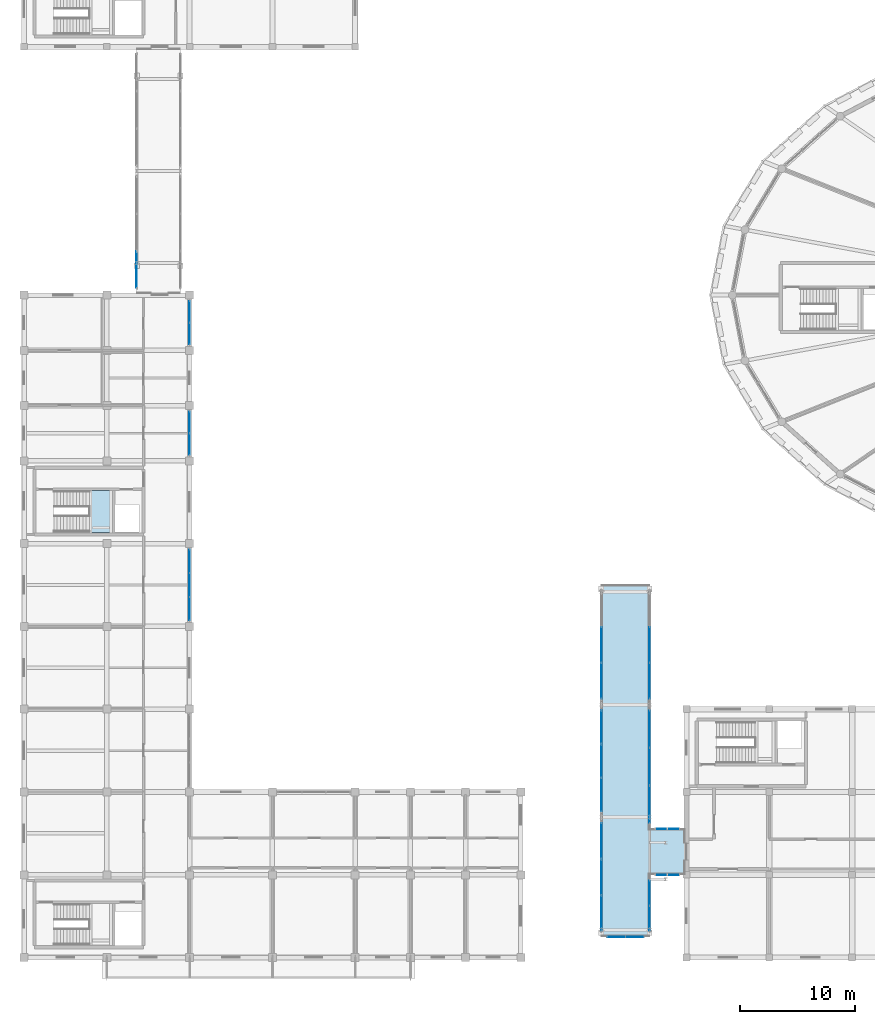
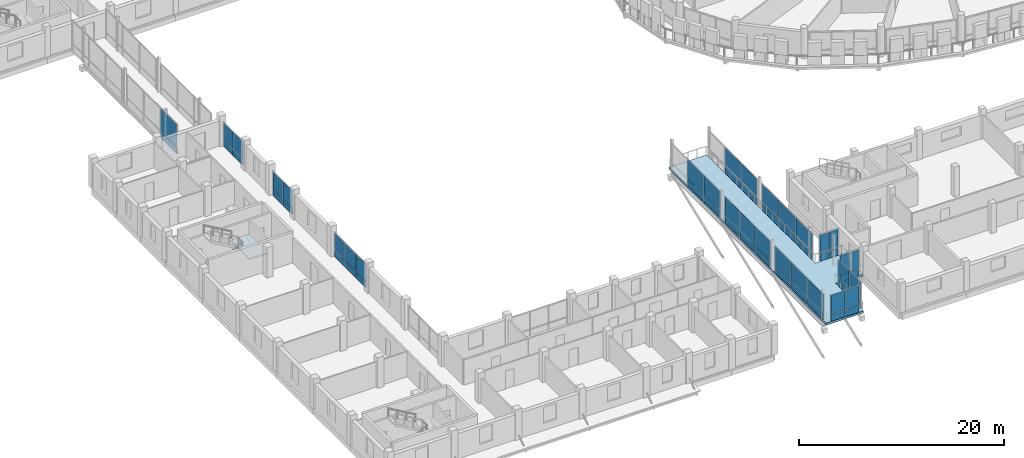
# One storey, part 97 of 128: 58 plates, 2 slabs, 14 elements without a shape of their own.
"""IFC4 building model written with IfcOpenShell, lengths in metres."""

from ifc_helpers import new_model, si_unit, direction, frame, origin, origin_2d, place, context, subcontext, project, spatial, polyline, rectangle, outline, extrude, material, layer, layer_set, type_object, element, aggregate, save


model = new_model("IFC4")

# Units and contexts
model_context = context("Model", 3, precision=1e-05, world=origin(), true_north=direction((0.0, 1.0)))
body_context = subcontext(model_context, "Body", "Model", "MODEL_VIEW")
ifc_project = project(units=[si_unit("LENGTHUNIT", "METRE"), si_unit("AREAUNIT", "SQUARE_METRE"), si_unit("VOLUMEUNIT", "CUBIC_METRE"), si_unit("PLANEANGLEUNIT", "RADIAN"), si_unit("MASSUNIT", "GRAM", prefix="KILO")], contexts=[model_context])

# Site, building, storey
site_placement = place(None, origin())
site = spatial("IfcSite", under=ifc_project, at=site_placement, CompositionType="ELEMENT")
building_placement = place(site_placement, origin())
building = spatial("IfcBuilding", under=site, at=building_placement, Name="Zornivar Specialist Clinic", CompositionType="ELEMENT")
storey_placement = place(building_placement, frame((0.0, 0.0, 4.5)))
storey = spatial("IfcBuildingStorey", under=building, at=storey_placement, Name="L01", CompositionType="ELEMENT", Elevation=4.5)

# Curtain wall, plates
ifc_material_1 = material(Name="Aluminium and Low-E Glass Curtain Wall", Category="aluminium")
curtain_wall_type_1 = type_object("IfcCurtainWallType", Name="CW-REVAK-COURT", PredefinedType="NOTDEFINED", material=ifc_material_1)
curtain_wall_1_placement = place(storey_placement, origin())
curtain_wall_1 = element("IfcCurtainWall", 1, at=curtain_wall_1_placement, inside=storey, type_object=curtain_wall_type_1, Name="cw:V2:L01:16", PredefinedType="NOTDEFINED")
ifc_material_2 = material(Name="Insulated Limestone-Faced Spandrel Panel", Category="masonry")
ifc_layer_1 = layer(ifc_material_2, 0.05810546875)
ifc_layer_set_1 = layer_set([ifc_layer_1], Name="Insulated Limestone-Faced Spandrel Panel")
plate_type_1 = type_object("IfcPlateType", Name="CWP-SPN-D", PredefinedType="CURTAIN_PANEL", material=ifc_layer_set_1)
plate_1_placement = place(storey_placement, frame((14.39990234375, 30.320068359375, 0.030029296875), z_axis=(0.0, 0.0, 1.0), x_axis=(0.0, 1.0, 0.0)))
plate_1 = element("IfcPlate", 2, at=plate_1_placement, type_object=plate_type_1, Name="cw:V2:L01:16:spn:0", PredefinedType="CURTAIN_PANEL", context=body_context, shape_type="SweptSolid", body=[
    extrude(rectangle(XDim=2.010009765625, YDim=0.05810546875, at=origin_2d()), origin(), (0.0, 0.0, 1.0), 0.7099609375),
])
plate_2_placement = place(storey_placement, frame((14.39990234375, 32.39990234375, 0.030029296875), z_axis=(0.0, 0.0, 1.0), x_axis=(0.0, 1.0, 0.0)))
plate_2 = element("IfcPlate", 3, at=plate_2_placement, type_object=plate_type_1, Name="cw:V2:L01:16:spn:1", PredefinedType="CURTAIN_PANEL", context=body_context, shape_type="SweptSolid", body=[
    extrude(rectangle(XDim=2.010009765625, YDim=0.05810546875, at=origin_2d()), origin(), (0.0, 0.0, 1.0), 0.7099609375),
])
plate_3_placement = place(storey_placement, frame((14.39990234375, 34.47998046875, 0.030029296875), z_axis=(0.0, 0.0, 1.0), x_axis=(0.0, 1.0, 0.0)))
plate_3 = element("IfcPlate", 4, at=plate_3_placement, type_object=plate_type_1, Name="cw:V2:L01:16:spn:2", PredefinedType="CURTAIN_PANEL", context=body_context, shape_type="SweptSolid", body=[
    extrude(rectangle(XDim=2.010009765625, YDim=0.05810546875, at=origin_2d()), origin(), (0.0, 0.0, 1.0), 0.7099609375),
])

curtain_wall_2_placement = place(storey_placement, origin())
curtain_wall_2 = element("IfcCurtainWall", 5, at=curtain_wall_2_placement, inside=storey, type_object=curtain_wall_type_1, Name="cw:V2:L01:18", PredefinedType="NOTDEFINED")
plate_4_placement = place(storey_placement, frame((14.39990234375, 44.639892578125, 0.030029296875), z_axis=(0.0, 0.0, 1.0), x_axis=(0.0, 1.0, 0.0)))
plate_4 = element("IfcPlate", 6, at=plate_4_placement, type_object=plate_type_1, Name="cw:V2:L01:18:spn:0", PredefinedType="CURTAIN_PANEL", context=body_context, shape_type="SweptSolid", body=[
    extrude(rectangle(XDim=1.85009765625, YDim=0.05810546875, at=origin_2d()), origin(), (0.0, 0.0, 1.0), 0.7099609375),
])
plate_5_placement = place(storey_placement, frame((14.39990234375, 46.56005859375, 0.030029296875), z_axis=(0.0, 0.0, 1.0), x_axis=(0.0, 1.0, 0.0)))
plate_5 = element("IfcPlate", 7, at=plate_5_placement, type_object=plate_type_1, Name="cw:V2:L01:18:spn:1", PredefinedType="CURTAIN_PANEL", context=body_context, shape_type="SweptSolid", body=[
    extrude(rectangle(XDim=1.85009765625, YDim=0.05810546875, at=origin_2d()), origin(), (0.0, 0.0, 1.0), 0.7099609375),
])

curtain_wall_3_placement = place(storey_placement, origin())
curtain_wall_3 = element("IfcCurtainWall", 8, at=curtain_wall_3_placement, inside=storey, type_object=curtain_wall_type_1, Name="cw:V2:L01:20", PredefinedType="NOTDEFINED")
plate_6_placement = place(storey_placement, frame((14.39990234375, 54.239990234375, 0.030029296875), z_axis=(0.0, 0.0, 1.0), x_axis=(0.0, 1.0, 0.0)))
plate_6 = element("IfcPlate", 9, at=plate_6_placement, type_object=plate_type_1, Name="cw:V2:L01:20:spn:0", PredefinedType="CURTAIN_PANEL", context=body_context, shape_type="SweptSolid", body=[
    extrude(rectangle(XDim=1.85009765625, YDim=0.05810546875, at=origin_2d()), origin(), (0.0, 0.0, 1.0), 0.7099609375),
])
plate_7_placement = place(storey_placement, frame((14.39990234375, 56.159912109375, 0.030029296875), z_axis=(0.0, 0.0, 1.0), x_axis=(0.0, 1.0, 0.0)))
plate_7 = element("IfcPlate", 10, at=plate_7_placement, type_object=plate_type_1, Name="cw:V2:L01:20:spn:1", PredefinedType="CURTAIN_PANEL", context=body_context, shape_type="SweptSolid", body=[
    extrude(rectangle(XDim=1.85009765625, YDim=0.05810546875, at=origin_2d()), origin(), (0.0, 0.0, 1.0), 0.7099609375),
])

ifc_material_3 = material(Name="Aluminium and Low-E Glass Curtain Wall", Category="aluminium")
curtain_wall_type_2 = type_object("IfcCurtainWallType", Name="CW-BRIDGE-LINK", PredefinedType="NOTDEFINED", material=ifc_material_3)
curtain_wall_4_placement = place(storey_placement, origin())
curtain_wall_4 = element("IfcCurtainWall", 11, at=curtain_wall_4_placement, inside=storey, type_object=curtain_wall_type_2, Name="cw:BR1:L01:W:0", PredefinedType="NOTDEFINED")
ifc_material_4 = material(Name="Insulated Bronze Spandrel Panel")
ifc_layer_2 = layer(ifc_material_4, 0.0458984375)
ifc_layer_set_2 = layer_set([ifc_layer_2], Name="Insulated Bronze Spandrel Panel")
plate_type_2 = type_object("IfcPlateType", Name="CWP-SPN-E", PredefinedType="CURTAIN_PANEL", material=ifc_layer_set_2)
plate_8_placement = place(storey_placement, frame((50.199951171875, 3.85400390625, 0.02978515625), z_axis=(0.0, 0.0, 1.0), x_axis=(0.0, 1.0, 0.0)))
plate_8 = element("IfcPlate", 12, at=plate_8_placement, type_object=plate_type_2, Name="cw:BR1:L01:W:0:spn:0", PredefinedType="CURTAIN_PANEL", context=body_context, shape_type="SweptSolid", body=[
    extrude(rectangle(XDim=3.076904296875, YDim=0.0458984375, at=origin_2d()), origin(), (0.0, 0.0, 1.0), 0.781982421875),
])
plate_9_placement = place(storey_placement, frame((50.199951171875, 7.0, 0.02978515625), z_axis=(0.0, 0.0, 1.0), x_axis=(0.0, 1.0, 0.0)))
plate_9 = element("IfcPlate", 13, at=plate_9_placement, type_object=plate_type_2, Name="cw:BR1:L01:W:0:spn:1", PredefinedType="CURTAIN_PANEL", context=body_context, shape_type="SweptSolid", body=[
    extrude(rectangle(XDim=3.075927734375, YDim=0.0458984375, at=origin_2d()), origin(), (0.0, 0.0, 1.0), 0.781982421875),
])
plate_10_placement = place(storey_placement, frame((50.199951171875, 10.14599609375, 0.02978515625), z_axis=(0.0, 0.0, 1.0), x_axis=(0.0, 1.0, 0.0)))
plate_10 = element("IfcPlate", 14, at=plate_10_placement, type_object=plate_type_2, Name="cw:BR1:L01:W:0:spn:2", PredefinedType="CURTAIN_PANEL", context=body_context, shape_type="SweptSolid", body=[
    extrude(rectangle(XDim=3.076904296875, YDim=0.0458984375, at=origin_2d()), origin(), (0.0, 0.0, 1.0), 0.781982421875),
])

curtain_wall_5_placement = place(storey_placement, origin())
curtain_wall_5 = element("IfcCurtainWall", 15, at=curtain_wall_5_placement, inside=storey, type_object=curtain_wall_type_2, Name="cw:BR1:L01:W:1", PredefinedType="NOTDEFINED")
plate_11_placement = place(storey_placement, frame((50.199951171875, 14.154052734375, 0.02978515625), z_axis=(0.0, 0.0, 1.0), x_axis=(0.0, 1.0, 0.0)))
plate_11 = element("IfcPlate", 16, at=plate_11_placement, type_object=plate_type_2, Name="cw:BR1:L01:W:1:spn:0", PredefinedType="CURTAIN_PANEL", context=body_context, shape_type="SweptSolid", body=[
    extrude(rectangle(XDim=2.876953125, YDim=0.0458984375, at=origin_2d()), origin(), (0.0, 0.0, 1.0), 0.781982421875),
])
plate_12_placement = place(storey_placement, frame((50.199951171875, 17.10009765625, 0.02978515625), z_axis=(0.0, 0.0, 1.0), x_axis=(0.0, 1.0, 0.0)))
plate_12 = element("IfcPlate", 17, at=plate_12_placement, type_object=plate_type_2, Name="cw:BR1:L01:W:1:spn:1", PredefinedType="CURTAIN_PANEL", context=body_context, shape_type="SweptSolid", body=[
    extrude(rectangle(XDim=2.8759765625, YDim=0.0458984375, at=origin_2d()), origin(), (0.0, 0.0, 1.0), 0.781982421875),
])
plate_13_placement = place(storey_placement, frame((50.199951171875, 20.047119140625, 0.02978515625), z_axis=(0.0, 0.0, 1.0), x_axis=(0.0, 1.0, 0.0)))
plate_13 = element("IfcPlate", 18, at=plate_13_placement, type_object=plate_type_2, Name="cw:BR1:L01:W:1:spn:2", PredefinedType="CURTAIN_PANEL", context=body_context, shape_type="SweptSolid", body=[
    extrude(rectangle(XDim=2.876953125, YDim=0.0458984375, at=origin_2d()), origin(), (0.0, 0.0, 1.0), 0.781982421875),
])

curtain_wall_6_placement = place(storey_placement, origin())
curtain_wall_6 = element("IfcCurtainWall", 19, at=curtain_wall_6_placement, inside=storey, type_object=curtain_wall_type_2, Name="cw:BR1:L01:W:2", PredefinedType="NOTDEFINED")
plate_14_placement = place(storey_placement, frame((50.199951171875, 24.052978515625, 0.02978515625), z_axis=(0.0, 0.0, 1.0), x_axis=(0.0, 1.0, 0.0)))
plate_14 = element("IfcPlate", 20, at=plate_14_placement, type_object=plate_type_2, Name="cw:BR1:L01:W:2:spn:0", PredefinedType="CURTAIN_PANEL", context=body_context, shape_type="SweptSolid", body=[
    extrude(rectangle(XDim=3.076904296875, YDim=0.0458984375, at=origin_2d()), origin(), (0.0, 0.0, 1.0), 0.781982421875),
])
plate_15_placement = place(storey_placement, frame((50.199951171875, 27.199951171875, 0.02978515625), z_axis=(0.0, 0.0, 1.0), x_axis=(0.0, 1.0, 0.0)))
plate_15 = element("IfcPlate", 21, at=plate_15_placement, type_object=plate_type_2, Name="cw:BR1:L01:W:2:spn:1", PredefinedType="CURTAIN_PANEL", context=body_context, shape_type="SweptSolid", body=[
    extrude(rectangle(XDim=3.075927734375, YDim=0.0458984375, at=origin_2d()), origin(), (0.0, 0.0, 1.0), 0.781982421875),
])

curtain_wall_7_placement = place(storey_placement, origin())
curtain_wall_7 = element("IfcCurtainWall", 22, at=curtain_wall_7_placement, inside=storey, type_object=curtain_wall_type_2, Name="cw:BR1:L01:E:0", PredefinedType="NOTDEFINED")
plate_16_placement = place(storey_placement, frame((54.39990234375, 3.389892578125, 0.02978515625), z_axis=(0.0, 0.0, 1.0), x_axis=(0.0, 1.0, 0.0)))
plate_16 = element("IfcPlate", 23, at=plate_16_placement, type_object=plate_type_2, Name="cw:BR1:L01:E:0:spn:0", PredefinedType="CURTAIN_PANEL", context=body_context, shape_type="SweptSolid", body=[
    extrude(rectangle(XDim=2.14990234375, YDim=0.0458984375, at=origin_2d()), origin(), (0.0, 0.0, 1.0), 0.781982421875),
])
plate_17_placement = place(storey_placement, frame((54.39990234375, 5.610107421875, 0.02978515625), z_axis=(0.0, 0.0, 1.0), x_axis=(0.0, 1.0, 0.0)))
plate_17 = element("IfcPlate", 24, at=plate_17_placement, type_object=plate_type_2, Name="cw:BR1:L01:E:0:spn:1", PredefinedType="CURTAIN_PANEL", context=body_context, shape_type="SweptSolid", body=[
    extrude(rectangle(XDim=2.14990234375, YDim=0.0458984375, at=origin_2d()), origin(), (0.0, 0.0, 1.0), 0.781982421875),
])

curtain_wall_8_placement = place(storey_placement, origin())
curtain_wall_8 = element("IfcCurtainWall", 25, at=curtain_wall_8_placement, inside=storey, type_object=curtain_wall_type_2, Name="cw:BR1:L01:E:1", PredefinedType="NOTDEFINED")
plate_18_placement = place(storey_placement, frame((54.39990234375, 13.320068359375, 0.02978515625), z_axis=(0.0, 0.0, 1.0), x_axis=(0.0, 1.0, 0.0)))
plate_18 = element("IfcPlate", 26, at=plate_18_placement, type_object=plate_type_2, Name="cw:BR1:L01:E:1:spn:0", PredefinedType="CURTAIN_PANEL", context=body_context, shape_type="SweptSolid", body=[
    extrude(rectangle(XDim=3.2099609375, YDim=0.0458984375, at=origin_2d()), origin(), (0.0, 0.0, 1.0), 0.781982421875),
])
plate_19_placement = place(storey_placement, frame((54.39990234375, 16.60009765625, 0.02978515625), z_axis=(0.0, 0.0, 1.0), x_axis=(0.0, 1.0, 0.0)))
plate_19 = element("IfcPlate", 27, at=plate_19_placement, type_object=plate_type_2, Name="cw:BR1:L01:E:1:spn:1", PredefinedType="CURTAIN_PANEL", context=body_context, shape_type="SweptSolid", body=[
    extrude(rectangle(XDim=3.2099609375, YDim=0.0458984375, at=origin_2d()), origin(), (0.0, 0.0, 1.0), 0.781982421875),
])
plate_20_placement = place(storey_placement, frame((54.39990234375, 19.8798828125, 0.02978515625), z_axis=(0.0, 0.0, 1.0), x_axis=(0.0, 1.0, 0.0)))
plate_20 = element("IfcPlate", 28, at=plate_20_placement, type_object=plate_type_2, Name="cw:BR1:L01:E:1:spn:2", PredefinedType="CURTAIN_PANEL", context=body_context, shape_type="SweptSolid", body=[
    extrude(rectangle(XDim=3.2099609375, YDim=0.0458984375, at=origin_2d()), origin(), (0.0, 0.0, 1.0), 0.781982421875),
])

curtain_wall_9_placement = place(storey_placement, origin())
curtain_wall_9 = element("IfcCurtainWall", 29, at=curtain_wall_9_placement, inside=storey, type_object=curtain_wall_type_2, Name="cw:BR1:L01:E:2", PredefinedType="NOTDEFINED")
plate_21_placement = place(storey_placement, frame((54.39990234375, 24.052978515625, 0.02978515625), z_axis=(0.0, 0.0, 1.0), x_axis=(0.0, 1.0, 0.0)))
plate_21 = element("IfcPlate", 30, at=plate_21_placement, type_object=plate_type_2, Name="cw:BR1:L01:E:2:spn:0", PredefinedType="CURTAIN_PANEL", context=body_context, shape_type="SweptSolid", body=[
    extrude(rectangle(XDim=3.076904296875, YDim=0.0458984375, at=origin_2d()), origin(), (0.0, 0.0, 1.0), 0.781982421875),
])
plate_22_placement = place(storey_placement, frame((54.39990234375, 27.199951171875, 0.02978515625), z_axis=(0.0, 0.0, 1.0), x_axis=(0.0, 1.0, 0.0)))
plate_22 = element("IfcPlate", 31, at=plate_22_placement, type_object=plate_type_2, Name="cw:BR1:L01:E:2:spn:1", PredefinedType="CURTAIN_PANEL", context=body_context, shape_type="SweptSolid", body=[
    extrude(rectangle(XDim=3.075927734375, YDim=0.0458984375, at=origin_2d()), origin(), (0.0, 0.0, 1.0), 0.781982421875),
])

curtain_wall_10_placement = place(storey_placement, origin())
curtain_wall_10 = element("IfcCurtainWall", 32, at=curtain_wall_10_placement, inside=storey, type_object=curtain_wall_type_2, Name="cw:BR1:L01:spS", PredefinedType="NOTDEFINED")
plate_23_placement = place(storey_placement, frame((55.409912109375, 7.199951171875, 0.02978515625), z_axis=(0.0, 0.0, 1.0), x_axis=(1.0, 0.0, 0.0)))
plate_23 = element("IfcPlate", 33, at=plate_23_placement, type_object=plate_type_2, Name="cw:BR1:L01:spS:spn:0", PredefinedType="CURTAIN_PANEL", context=body_context, shape_type="SweptSolid", body=[
    extrude(rectangle(XDim=0.989990234375, YDim=0.0458984375, at=origin_2d()), origin(), (0.0, 0.0, 1.0), 0.781982421875),
])
plate_24_placement = place(storey_placement, frame((56.469970703125, 7.199951171875, 0.02978515625), z_axis=(0.0, 0.0, 1.0), x_axis=(1.0, 0.0, 0.0)))
plate_24 = element("IfcPlate", 34, at=plate_24_placement, type_object=plate_type_2, Name="cw:BR1:L01:spS:spn:1", PredefinedType="CURTAIN_PANEL", context=body_context, shape_type="SweptSolid", body=[
    extrude(rectangle(XDim=0.989990234375, YDim=0.0458984375, at=origin_2d()), origin(), (0.0, 0.0, 1.0), 0.781982421875),
])

curtain_wall_11_placement = place(storey_placement, origin())
curtain_wall_11 = element("IfcCurtainWall", 35, at=curtain_wall_11_placement, inside=storey, type_object=curtain_wall_type_2, Name="cw:BR1:L01:spN", PredefinedType="NOTDEFINED")
plate_25_placement = place(storey_placement, frame((55.409912109375, 11.199951171875, 0.02978515625), z_axis=(0.0, 0.0, 1.0), x_axis=(1.0, 0.0, 0.0)))
plate_25 = element("IfcPlate", 36, at=plate_25_placement, type_object=plate_type_2, Name="cw:BR1:L01:spN:spn:0", PredefinedType="CURTAIN_PANEL", context=body_context, shape_type="SweptSolid", body=[
    extrude(rectangle(XDim=0.989990234375, YDim=0.0458984375, at=origin_2d()), origin(), (0.0, 0.0, 1.0), 0.781982421875),
])
plate_26_placement = place(storey_placement, frame((56.469970703125, 11.199951171875, 0.02978515625), z_axis=(0.0, 0.0, 1.0), x_axis=(1.0, 0.0, 0.0)))
plate_26 = element("IfcPlate", 37, at=plate_26_placement, type_object=plate_type_2, Name="cw:BR1:L01:spN:spn:1", PredefinedType="CURTAIN_PANEL", context=body_context, shape_type="SweptSolid", body=[
    extrude(rectangle(XDim=0.989990234375, YDim=0.0458984375, at=origin_2d()), origin(), (0.0, 0.0, 1.0), 0.781982421875),
])

curtain_wall_12_placement = place(storey_placement, origin())
curtain_wall_12 = element("IfcCurtainWall", 38, at=curtain_wall_12_placement, inside=storey, type_object=curtain_wall_type_2, Name="cw:BR1:L01:endS", PredefinedType="NOTDEFINED")
plate_27_placement = place(storey_placement, frame((51.489990234375, 1.800048828125, 0.02978515625), z_axis=(0.0, 0.0, 1.0), x_axis=(1.0, 0.0, 0.0)))
plate_27 = element("IfcPlate", 39, at=plate_27_placement, type_object=plate_type_2, Name="cw:BR1:L01:endS:spn:0", PredefinedType="CURTAIN_PANEL", context=body_context, shape_type="SweptSolid", body=[
    extrude(rectangle(XDim=1.550048828125, YDim=0.0458984375, at=origin_2d()), origin(), (0.0, 0.0, 1.0), 0.781982421875),
])
plate_28_placement = place(storey_placement, frame((53.110107421875, 1.800048828125, 0.02978515625), z_axis=(0.0, 0.0, 1.0), x_axis=(1.0, 0.0, 0.0)))
plate_28 = element("IfcPlate", 40, at=plate_28_placement, type_object=plate_type_2, Name="cw:BR1:L01:endS:spn:1", PredefinedType="CURTAIN_PANEL", context=body_context, shape_type="SweptSolid", body=[
    extrude(rectangle(XDim=1.550048828125, YDim=0.0458984375, at=origin_2d()), origin(), (0.0, 0.0, 1.0), 0.781982421875),
])

# Curtain wall, plate
curtain_wall_13_placement = place(storey_placement, origin())
curtain_wall_13 = element("IfcCurtainWall", 41, at=curtain_wall_13_placement, inside=storey, type_object=curtain_wall_type_2, Name="cw:BR2:L01:W:0", PredefinedType="NOTDEFINED")
plate_29_placement = place(storey_placement, frame((9.800048828125, 59.820068359375, 0.030029296875), z_axis=(0.0, 0.0, 1.0), x_axis=(0.0, 1.0, 0.0)))
plate_29 = element("IfcPlate", 42, at=plate_29_placement, type_object=plate_type_2, Name="cw:BR2:L01:W:0:spn:0", PredefinedType="CURTAIN_PANEL", context=body_context, shape_type="SweptSolid", body=[
    extrude(rectangle(XDim=3.169921875, YDim=0.0458984375, at=origin_2d()), origin(), (0.0, 0.0, 1.0), 0.7900390625),
])

# Plate
ifc_material_5 = material(Name="Triple Low-E Vision Glass", Category="glass")
ifc_layer_3 = layer(ifc_material_5, 0.035888671875)
ifc_layer_set_3 = layer_set([ifc_layer_3], Name="Triple Low-E Vision Glass")
plate_type_3 = type_object("IfcPlateType", Name="CWP-VIS-F", PredefinedType="CURTAIN_PANEL", material=ifc_layer_set_3)
plate_30_placement = place(storey_placement, frame((14.39990234375, 44.639892578125, 0.8046875), z_axis=(0.0, 0.0, 1.0), x_axis=(0.0, 1.0, 0.0)))
plate_30 = element("IfcPlate", 43, at=plate_30_placement, type_object=plate_type_3, Name="cw:V2:L01:18:vis:0", PredefinedType="CURTAIN_PANEL", context=body_context, shape_type="SweptSolid", body=[
    extrude(rectangle(XDim=1.85009765625, YDim=0.035888671875, at=origin_2d()), origin(), (0.0, 0.0, 1.0), 2.054931640625),
])

plate_31_placement = place(storey_placement, frame((14.39990234375, 46.56005859375, 0.8046875), z_axis=(0.0, 0.0, 1.0), x_axis=(0.0, 1.0, 0.0)))
plate_31 = element("IfcPlate", 44, at=plate_31_placement, type_object=plate_type_3, Name="cw:V2:L01:18:vis:1", PredefinedType="CURTAIN_PANEL", context=body_context, shape_type="SweptSolid", body=[
    extrude(rectangle(XDim=1.85009765625, YDim=0.035888671875, at=origin_2d()), origin(), (0.0, 0.0, 1.0), 2.054931640625),
])

aggregate(curtain_wall_2, [plate_4, plate_30, plate_5, plate_31])

ifc_material_6 = material(Name="Triple Low-E Vision Glass", Category="glass")
ifc_layer_4 = layer(ifc_material_6, 0.035888671875)
ifc_layer_set_4 = layer_set([ifc_layer_4], Name="Triple Low-E Vision Glass")
plate_type_4 = type_object("IfcPlateType", Name="CWP-VIS-G", PredefinedType="CURTAIN_PANEL", material=ifc_layer_set_4)
plate_32_placement = place(storey_placement, frame((14.39990234375, 30.320068359375, 0.8046875), z_axis=(0.0, 0.0, 1.0), x_axis=(0.0, 1.0, 0.0)))
plate_32 = element("IfcPlate", 45, at=plate_32_placement, type_object=plate_type_4, Name="cw:V2:L01:16:vis:0", PredefinedType="CURTAIN_PANEL", context=body_context, shape_type="SweptSolid", body=[
    extrude(rectangle(XDim=2.010009765625, YDim=0.035888671875, at=origin_2d()), origin(), (0.0, 0.0, 1.0), 2.054931640625),
])

plate_33_placement = place(storey_placement, frame((14.39990234375, 32.39990234375, 0.8046875), z_axis=(0.0, 0.0, 1.0), x_axis=(0.0, 1.0, 0.0)))
plate_33 = element("IfcPlate", 46, at=plate_33_placement, type_object=plate_type_4, Name="cw:V2:L01:16:vis:1", PredefinedType="CURTAIN_PANEL", context=body_context, shape_type="SweptSolid", body=[
    extrude(rectangle(XDim=2.010009765625, YDim=0.035888671875, at=origin_2d()), origin(), (0.0, 0.0, 1.0), 2.054931640625),
])

plate_34_placement = place(storey_placement, frame((14.39990234375, 34.47998046875, 0.8046875), z_axis=(0.0, 0.0, 1.0), x_axis=(0.0, 1.0, 0.0)))
plate_34 = element("IfcPlate", 47, at=plate_34_placement, type_object=plate_type_4, Name="cw:V2:L01:16:vis:2", PredefinedType="CURTAIN_PANEL", context=body_context, shape_type="SweptSolid", body=[
    extrude(rectangle(XDim=2.010009765625, YDim=0.035888671875, at=origin_2d()), origin(), (0.0, 0.0, 1.0), 2.054931640625),
])

aggregate(curtain_wall_1, [plate_1, plate_32, plate_2, plate_33, plate_3, plate_34])

plate_35_placement = place(storey_placement, frame((14.39990234375, 54.239990234375, 0.8046875), z_axis=(0.0, 0.0, 1.0), x_axis=(0.0, 1.0, 0.0)))
plate_35 = element("IfcPlate", 48, at=plate_35_placement, type_object=plate_type_4, Name="cw:V2:L01:20:vis:0", PredefinedType="CURTAIN_PANEL", context=body_context, shape_type="SweptSolid", body=[
    extrude(rectangle(XDim=1.85009765625, YDim=0.035888671875, at=origin_2d()), origin(), (0.0, 0.0, 1.0), 2.054931640625),
])

plate_36_placement = place(storey_placement, frame((14.39990234375, 56.159912109375, 0.8046875), z_axis=(0.0, 0.0, 1.0), x_axis=(0.0, 1.0, 0.0)))
plate_36 = element("IfcPlate", 49, at=plate_36_placement, type_object=plate_type_4, Name="cw:V2:L01:20:vis:1", PredefinedType="CURTAIN_PANEL", context=body_context, shape_type="SweptSolid", body=[
    extrude(rectangle(XDim=1.85009765625, YDim=0.035888671875, at=origin_2d()), origin(), (0.0, 0.0, 1.0), 2.054931640625),
])

aggregate(curtain_wall_3, [plate_6, plate_35, plate_7, plate_36])

ifc_material_7 = material(Name="Bridge Acoustic Laminated Glass", Category="glass")
ifc_layer_5 = layer(ifc_material_7, 0.035888671875)
ifc_layer_set_5 = layer_set([ifc_layer_5], Name="Bridge Acoustic Laminated Glass")
plate_type_5 = type_object("IfcPlateType", Name="CWP-VIS-M", PredefinedType="CURTAIN_PANEL", material=ifc_layer_set_5)
plate_37_placement = place(storey_placement, frame((50.199951171875, 3.85400390625, 0.87646484375), z_axis=(0.0, 0.0, 1.0), x_axis=(0.0, 1.0, 0.0)))
plate_37 = element("IfcPlate", 50, at=plate_37_placement, type_object=plate_type_5, Name="cw:BR1:L01:W:0:vis:0", PredefinedType="CURTAIN_PANEL", context=body_context, shape_type="SweptSolid", body=[
    extrude(rectangle(XDim=3.076904296875, YDim=0.035888671875, at=origin_2d()), origin(), (0.0, 0.0, 1.0), 2.262939453125),
])

plate_38_placement = place(storey_placement, frame((50.199951171875, 7.0, 0.87646484375), z_axis=(0.0, 0.0, 1.0), x_axis=(0.0, 1.0, 0.0)))
plate_38 = element("IfcPlate", 51, at=plate_38_placement, type_object=plate_type_5, Name="cw:BR1:L01:W:0:vis:1", PredefinedType="CURTAIN_PANEL", context=body_context, shape_type="SweptSolid", body=[
    extrude(rectangle(XDim=3.075927734375, YDim=0.035888671875, at=origin_2d()), origin(), (0.0, 0.0, 1.0), 2.262939453125),
])

plate_39_placement = place(storey_placement, frame((50.199951171875, 10.14599609375, 0.87646484375), z_axis=(0.0, 0.0, 1.0), x_axis=(0.0, 1.0, 0.0)))
plate_39 = element("IfcPlate", 52, at=plate_39_placement, type_object=plate_type_5, Name="cw:BR1:L01:W:0:vis:2", PredefinedType="CURTAIN_PANEL", context=body_context, shape_type="SweptSolid", body=[
    extrude(rectangle(XDim=3.076904296875, YDim=0.035888671875, at=origin_2d()), origin(), (0.0, 0.0, 1.0), 2.262939453125),
])

aggregate(curtain_wall_4, [plate_8, plate_37, plate_9, plate_38, plate_10, plate_39])

plate_40_placement = place(storey_placement, frame((50.199951171875, 14.154052734375, 0.87646484375), z_axis=(0.0, 0.0, 1.0), x_axis=(0.0, 1.0, 0.0)))
plate_40 = element("IfcPlate", 53, at=plate_40_placement, type_object=plate_type_5, Name="cw:BR1:L01:W:1:vis:0", PredefinedType="CURTAIN_PANEL", context=body_context, shape_type="SweptSolid", body=[
    extrude(rectangle(XDim=2.876953125, YDim=0.035888671875, at=origin_2d()), origin(), (0.0, 0.0, 1.0), 2.262939453125),
])

plate_41_placement = place(storey_placement, frame((50.199951171875, 17.10009765625, 0.87646484375), z_axis=(0.0, 0.0, 1.0), x_axis=(0.0, 1.0, 0.0)))
plate_41 = element("IfcPlate", 54, at=plate_41_placement, type_object=plate_type_5, Name="cw:BR1:L01:W:1:vis:1", PredefinedType="CURTAIN_PANEL", context=body_context, shape_type="SweptSolid", body=[
    extrude(rectangle(XDim=2.8759765625, YDim=0.035888671875, at=origin_2d()), origin(), (0.0, 0.0, 1.0), 2.262939453125),
])

plate_42_placement = place(storey_placement, frame((50.199951171875, 20.047119140625, 0.87646484375), z_axis=(0.0, 0.0, 1.0), x_axis=(0.0, 1.0, 0.0)))
plate_42 = element("IfcPlate", 55, at=plate_42_placement, type_object=plate_type_5, Name="cw:BR1:L01:W:1:vis:2", PredefinedType="CURTAIN_PANEL", context=body_context, shape_type="SweptSolid", body=[
    extrude(rectangle(XDim=2.876953125, YDim=0.035888671875, at=origin_2d()), origin(), (0.0, 0.0, 1.0), 2.262939453125),
])

aggregate(curtain_wall_5, [plate_11, plate_40, plate_12, plate_41, plate_13, plate_42])

plate_43_placement = place(storey_placement, frame((50.199951171875, 24.052978515625, 0.87646484375), z_axis=(0.0, 0.0, 1.0), x_axis=(0.0, 1.0, 0.0)))
plate_43 = element("IfcPlate", 56, at=plate_43_placement, type_object=plate_type_5, Name="cw:BR1:L01:W:2:vis:0", PredefinedType="CURTAIN_PANEL", context=body_context, shape_type="SweptSolid", body=[
    extrude(rectangle(XDim=3.076904296875, YDim=0.035888671875, at=origin_2d()), origin(), (0.0, 0.0, 1.0), 2.262939453125),
])

plate_44_placement = place(storey_placement, frame((50.199951171875, 27.199951171875, 0.87646484375), z_axis=(0.0, 0.0, 1.0), x_axis=(0.0, 1.0, 0.0)))
plate_44 = element("IfcPlate", 57, at=plate_44_placement, type_object=plate_type_5, Name="cw:BR1:L01:W:2:vis:1", PredefinedType="CURTAIN_PANEL", context=body_context, shape_type="SweptSolid", body=[
    extrude(rectangle(XDim=3.075927734375, YDim=0.035888671875, at=origin_2d()), origin(), (0.0, 0.0, 1.0), 2.262939453125),
])

aggregate(curtain_wall_6, [plate_14, plate_43, plate_15, plate_44])

plate_45_placement = place(storey_placement, frame((54.39990234375, 3.389892578125, 0.87646484375), z_axis=(0.0, 0.0, 1.0), x_axis=(0.0, 1.0, 0.0)))
plate_45 = element("IfcPlate", 58, at=plate_45_placement, type_object=plate_type_5, Name="cw:BR1:L01:E:0:vis:0", PredefinedType="CURTAIN_PANEL", context=body_context, shape_type="SweptSolid", body=[
    extrude(rectangle(XDim=2.14990234375, YDim=0.035888671875, at=origin_2d()), origin(), (0.0, 0.0, 1.0), 2.262939453125),
])

plate_46_placement = place(storey_placement, frame((54.39990234375, 5.610107421875, 0.87646484375), z_axis=(0.0, 0.0, 1.0), x_axis=(0.0, 1.0, 0.0)))
plate_46 = element("IfcPlate", 59, at=plate_46_placement, type_object=plate_type_5, Name="cw:BR1:L01:E:0:vis:1", PredefinedType="CURTAIN_PANEL", context=body_context, shape_type="SweptSolid", body=[
    extrude(rectangle(XDim=2.14990234375, YDim=0.035888671875, at=origin_2d()), origin(), (0.0, 0.0, 1.0), 2.262939453125),
])

aggregate(curtain_wall_7, [plate_16, plate_45, plate_17, plate_46])

plate_47_placement = place(storey_placement, frame((54.39990234375, 13.320068359375, 0.87646484375), z_axis=(0.0, 0.0, 1.0), x_axis=(0.0, 1.0, 0.0)))
plate_47 = element("IfcPlate", 60, at=plate_47_placement, type_object=plate_type_5, Name="cw:BR1:L01:E:1:vis:0", PredefinedType="CURTAIN_PANEL", context=body_context, shape_type="SweptSolid", body=[
    extrude(rectangle(XDim=3.2099609375, YDim=0.035888671875, at=origin_2d()), origin(), (0.0, 0.0, 1.0), 2.262939453125),
])

plate_48_placement = place(storey_placement, frame((54.39990234375, 16.60009765625, 0.87646484375), z_axis=(0.0, 0.0, 1.0), x_axis=(0.0, 1.0, 0.0)))
plate_48 = element("IfcPlate", 61, at=plate_48_placement, type_object=plate_type_5, Name="cw:BR1:L01:E:1:vis:1", PredefinedType="CURTAIN_PANEL", context=body_context, shape_type="SweptSolid", body=[
    extrude(rectangle(XDim=3.2099609375, YDim=0.035888671875, at=origin_2d()), origin(), (0.0, 0.0, 1.0), 2.262939453125),
])

plate_49_placement = place(storey_placement, frame((54.39990234375, 19.8798828125, 0.87646484375), z_axis=(0.0, 0.0, 1.0), x_axis=(0.0, 1.0, 0.0)))
plate_49 = element("IfcPlate", 62, at=plate_49_placement, type_object=plate_type_5, Name="cw:BR1:L01:E:1:vis:2", PredefinedType="CURTAIN_PANEL", context=body_context, shape_type="SweptSolid", body=[
    extrude(rectangle(XDim=3.2099609375, YDim=0.035888671875, at=origin_2d()), origin(), (0.0, 0.0, 1.0), 2.262939453125),
])

aggregate(curtain_wall_8, [plate_18, plate_47, plate_19, plate_48, plate_20, plate_49])

plate_50_placement = place(storey_placement, frame((54.39990234375, 24.052978515625, 0.87646484375), z_axis=(0.0, 0.0, 1.0), x_axis=(0.0, 1.0, 0.0)))
plate_50 = element("IfcPlate", 63, at=plate_50_placement, type_object=plate_type_5, Name="cw:BR1:L01:E:2:vis:0", PredefinedType="CURTAIN_PANEL", context=body_context, shape_type="SweptSolid", body=[
    extrude(rectangle(XDim=3.076904296875, YDim=0.035888671875, at=origin_2d()), origin(), (0.0, 0.0, 1.0), 2.262939453125),
])

plate_51_placement = place(storey_placement, frame((54.39990234375, 27.199951171875, 0.87646484375), z_axis=(0.0, 0.0, 1.0), x_axis=(0.0, 1.0, 0.0)))
plate_51 = element("IfcPlate", 64, at=plate_51_placement, type_object=plate_type_5, Name="cw:BR1:L01:E:2:vis:1", PredefinedType="CURTAIN_PANEL", context=body_context, shape_type="SweptSolid", body=[
    extrude(rectangle(XDim=3.075927734375, YDim=0.035888671875, at=origin_2d()), origin(), (0.0, 0.0, 1.0), 2.262939453125),
])

aggregate(curtain_wall_9, [plate_21, plate_50, plate_22, plate_51])

plate_52_placement = place(storey_placement, frame((55.409912109375, 7.199951171875, 0.87646484375), z_axis=(0.0, 0.0, 1.0), x_axis=(1.0, 0.0, 0.0)))
plate_52 = element("IfcPlate", 65, at=plate_52_placement, type_object=plate_type_5, Name="cw:BR1:L01:spS:vis:0", PredefinedType="CURTAIN_PANEL", context=body_context, shape_type="SweptSolid", body=[
    extrude(rectangle(XDim=0.989990234375, YDim=0.035888671875, at=origin_2d()), origin(), (0.0, 0.0, 1.0), 2.262939453125),
])

plate_53_placement = place(storey_placement, frame((56.469970703125, 7.199951171875, 0.87646484375), z_axis=(0.0, 0.0, 1.0), x_axis=(1.0, 0.0, 0.0)))
plate_53 = element("IfcPlate", 66, at=plate_53_placement, type_object=plate_type_5, Name="cw:BR1:L01:spS:vis:1", PredefinedType="CURTAIN_PANEL", context=body_context, shape_type="SweptSolid", body=[
    extrude(rectangle(XDim=0.989990234375, YDim=0.035888671875, at=origin_2d()), origin(), (0.0, 0.0, 1.0), 2.262939453125),
])

aggregate(curtain_wall_10, [plate_23, plate_52, plate_24, plate_53])

plate_54_placement = place(storey_placement, frame((55.409912109375, 11.199951171875, 0.87646484375), z_axis=(0.0, 0.0, 1.0), x_axis=(1.0, 0.0, 0.0)))
plate_54 = element("IfcPlate", 67, at=plate_54_placement, type_object=plate_type_5, Name="cw:BR1:L01:spN:vis:0", PredefinedType="CURTAIN_PANEL", context=body_context, shape_type="SweptSolid", body=[
    extrude(rectangle(XDim=0.989990234375, YDim=0.035888671875, at=origin_2d()), origin(), (0.0, 0.0, 1.0), 2.262939453125),
])

plate_55_placement = place(storey_placement, frame((56.469970703125, 11.199951171875, 0.87646484375), z_axis=(0.0, 0.0, 1.0), x_axis=(1.0, 0.0, 0.0)))
plate_55 = element("IfcPlate", 68, at=plate_55_placement, type_object=plate_type_5, Name="cw:BR1:L01:spN:vis:1", PredefinedType="CURTAIN_PANEL", context=body_context, shape_type="SweptSolid", body=[
    extrude(rectangle(XDim=0.989990234375, YDim=0.035888671875, at=origin_2d()), origin(), (0.0, 0.0, 1.0), 2.262939453125),
])

aggregate(curtain_wall_11, [plate_25, plate_54, plate_26, plate_55])

plate_56_placement = place(storey_placement, frame((51.489990234375, 1.800048828125, 0.87646484375), z_axis=(0.0, 0.0, 1.0), x_axis=(1.0, 0.0, 0.0)))
plate_56 = element("IfcPlate", 69, at=plate_56_placement, type_object=plate_type_5, Name="cw:BR1:L01:endS:vis:0", PredefinedType="CURTAIN_PANEL", context=body_context, shape_type="SweptSolid", body=[
    extrude(rectangle(XDim=1.550048828125, YDim=0.035888671875, at=origin_2d()), origin(), (0.0, 0.0, 1.0), 2.262939453125),
])

plate_57_placement = place(storey_placement, frame((53.110107421875, 1.800048828125, 0.87646484375), z_axis=(0.0, 0.0, 1.0), x_axis=(1.0, 0.0, 0.0)))
plate_57 = element("IfcPlate", 70, at=plate_57_placement, type_object=plate_type_5, Name="cw:BR1:L01:endS:vis:1", PredefinedType="CURTAIN_PANEL", context=body_context, shape_type="SweptSolid", body=[
    extrude(rectangle(XDim=1.550048828125, YDim=0.035888671875, at=origin_2d()), origin(), (0.0, 0.0, 1.0), 2.262939453125),
])

aggregate(curtain_wall_12, [plate_27, plate_56, plate_28, plate_57])

plate_58_placement = place(storey_placement, frame((9.800048828125, 59.820068359375, 0.88427734375), z_axis=(0.0, 0.0, 1.0), x_axis=(0.0, 1.0, 0.0)))
plate_58 = element("IfcPlate", 71, at=plate_58_placement, type_object=plate_type_5, Name="cw:BR2:L01:W:0:vis:0", PredefinedType="CURTAIN_PANEL", context=body_context, shape_type="SweptSolid", body=[
    extrude(rectangle(XDim=3.169921875, YDim=0.035888671875, at=origin_2d()), origin(), (0.0, 0.0, 1.0), 2.655029296875),
])

aggregate(curtain_wall_13, [plate_29, plate_58])

# Slab
ifc_material_8 = material(Name="Concrete C30/37", Category="concrete")
ifc_layer_6 = layer(ifc_material_8, 0.22998046875)
ifc_layer_set_6 = layer_set([ifc_layer_6], Name="Concrete C30/37")
slab_type_1 = type_object("IfcSlabType", Name="SLB-FLR-BRG-230", PredefinedType="FLOOR", material=ifc_layer_set_6)
slab_1_placement = place(storey_placement, frame((0.0, 0.0, -0.22998046875)))
element("IfcSlab", 72, at=slab_1_placement, inside=storey, type_object=slab_type_1, Name="slab:BR1:L01:deck", PredefinedType="FLOOR", context=body_context, shape_type="SweptSolid", body=[
    extrude(outline(polyline([(57.47998046875, 11.199951171875), (57.47998046875, 7.199951171875), (54.39990234375, 7.199951171875), (54.39990234375, 1.800048828125), (50.199951171875, 1.800048828125), (50.199951171875, 32.39990234375), (54.39990234375, 32.39990234375), (54.39990234375, 11.199951171875), (57.47998046875, 11.199951171875)])), origin(), (0.0, 0.0, 1.0), 0.22998046875),
])

# Stair, slab
ifc_material_9 = material(Name="Concrete C30/37", Category="concrete")
stair_type = type_object("IfcStairType", Name="STR-CORE-TYP-3900", PredefinedType="HALF_TURN_STAIR", material=ifc_material_9)
stair_placement = place(storey_placement, origin())
stair = element("IfcStair", 73, at=stair_placement, inside=storey, type_object=stair_type, Name="stair:C2:L01", PredefinedType="HALF_TURN_STAIR")
ifc_material_10 = material(Name="Concrete C30/37", Category="concrete")
ifc_layer_7 = layer(ifc_material_10, 0.179931640625)
ifc_layer_set_7 = layer_set([ifc_layer_7], Name="Concrete C30/37")
slab_type_2 = type_object("IfcSlabType", Name="SLB-LANDING-180", PredefinedType="LANDING", material=ifc_layer_set_7)
slab_2_placement = place(storey_placement, frame((0.0, 0.0, 1.77001953125)))
slab_2 = element("IfcSlab", 74, at=slab_2_placement, type_object=slab_type_2, Name="stair:C2:L01:land", PredefinedType="LANDING", context=body_context, shape_type="SweptSolid", body=[
    extrude(outline(polyline([(5.659912109375, 36.97998046875), (7.719970703125, 36.97998046875), (7.719970703125, 40.6201171875), (5.659912109375, 40.6201171875), (5.659912109375, 36.97998046875)])), origin(), (0.0, 0.0, 1.0), 0.179931640625),
])
aggregate(stair, [slab_2])

save(model, "model.ifc")
